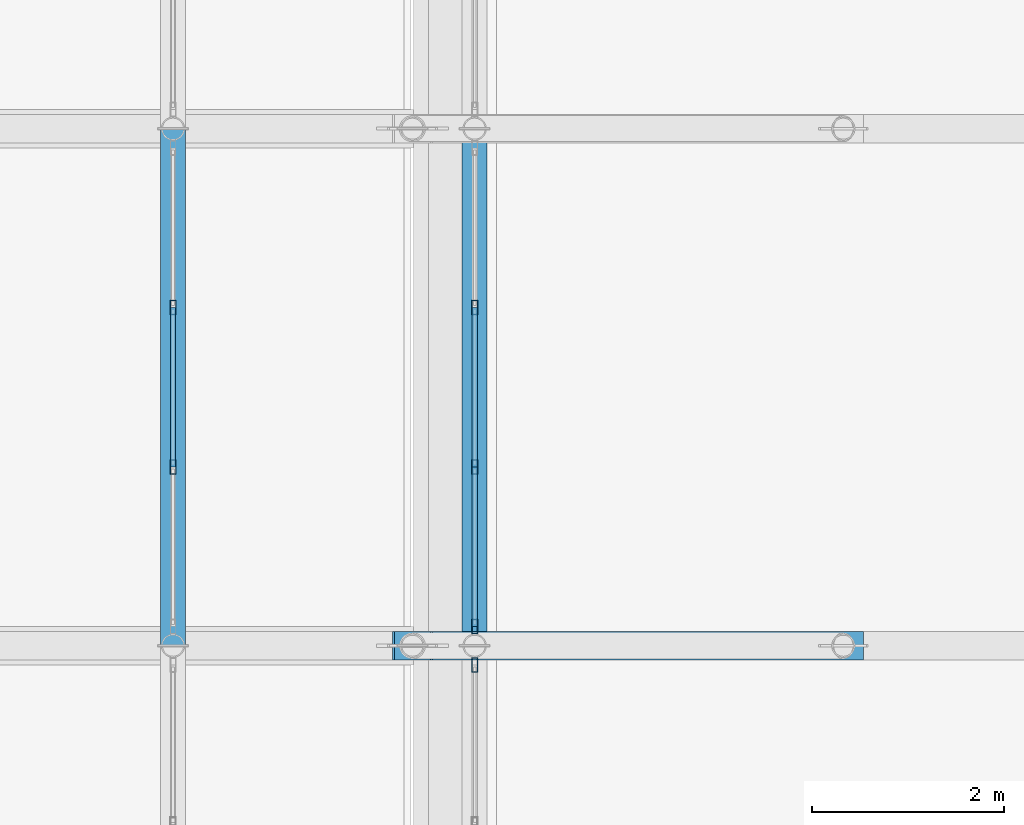
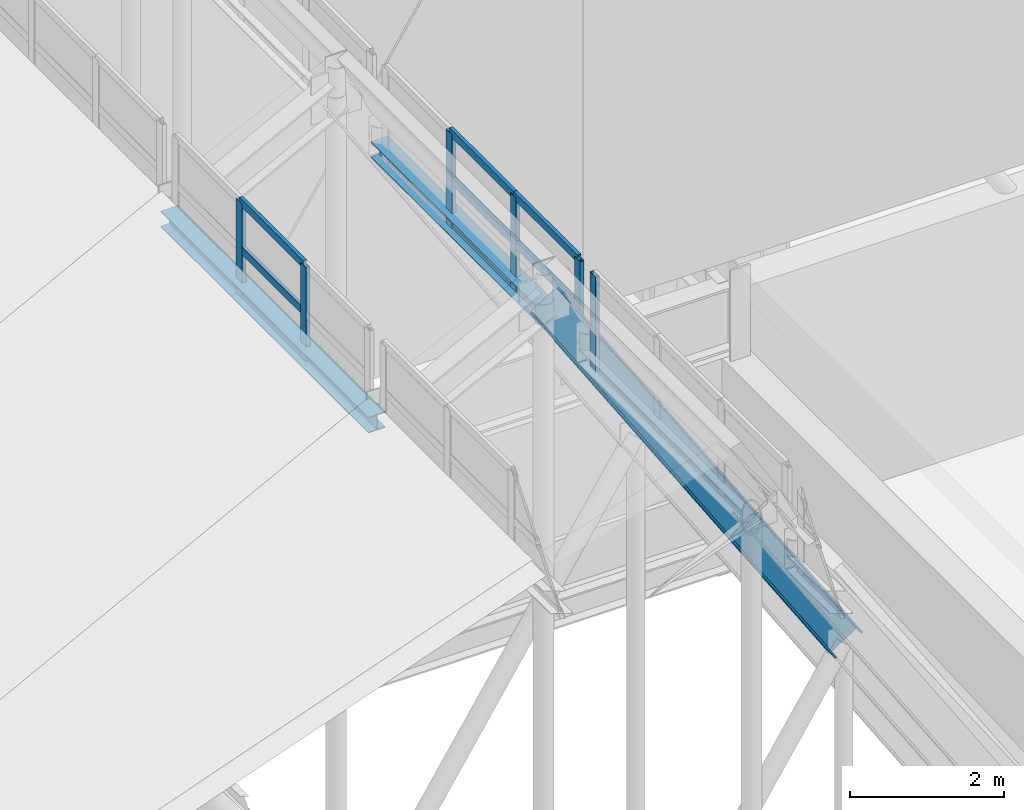
# One storey, part 20 of 84: 16 members, 2 beams, 3 elements without a shape of their own.
"""IFC4 building model written with IfcOpenShell, lengths in metres."""

from ifc_helpers import new_model, si_unit, direction, frame, origin, origin_2d, place, context, subcontext, project, spatial, hollow_rectangle, i_section, extrude, material, layer, layer_set, material_profile, profile_set, type_object, element, aggregate, save


model = new_model("IFC4")

# Units and contexts
model_context = context("Model", 3, precision=1e-05, world=origin(), true_north=direction((0.0, 1.0)))
body_context = subcontext(model_context, "Body", "Model", "MODEL_VIEW")
ifc_project = project(units=[si_unit("LENGTHUNIT", "METRE"), si_unit("AREAUNIT", "SQUARE_METRE"), si_unit("VOLUMEUNIT", "CUBIC_METRE"), si_unit("PLANEANGLEUNIT", "RADIAN"), si_unit("MASSUNIT", "GRAM", prefix="KILO")], contexts=[model_context])

# Site, building, storey
site_placement = place(None, origin())
site = spatial("IfcSite", under=ifc_project, at=site_placement, CompositionType="ELEMENT")
building_placement = place(site_placement, origin())
building = spatial("IfcBuilding", under=site, at=building_placement, Name="Sundgate Opera House", CompositionType="ELEMENT")
storey_placement = place(building_placement, frame((0.0, 0.0, 30.60009765625)))
storey = spatial("IfcBuildingStorey", under=building, at=storey_placement, Name="L06", CompositionType="ELEMENT", Elevation=30.60009765625)

# Beams
ifc_material_1 = material(Name="Steel S355J2", Category="steel")
ifc_material_profile_1 = material_profile(ifc_material_1, i_section(OverallWidth=0.260009765625, OverallDepth=0.25, WebThickness=0.007568359375, FlangeThickness=0.012451171875, at=origin_2d()), Name="HEA 260")
ifc_profile_set_1 = profile_set([ifc_material_profile_1], Name="Steel S355J2")
beam_type = type_object("IfcBeamType", Name="BM-LN-HEA260", PredefinedType="LINTEL", material=ifc_profile_set_1)
for number, where, z_axis, x_axis, name in (
    (1, (51.5, 49.199951171875, 12.119873046875), (0.0, 1.0, 0.0), (-1.0, 0.0, 0.0), "L06 Crown Clerestory Curb Beam BS028"),
    (2, (54.64990234375, 49.199951171875, 12.119873046875), (0.0, 1.0, 0.0), (-1.0, 0.0, 0.0), "L06 Crown Clerestory Curb Beam BS029"),
):
    element("IfcBeam", number, at=place(storey_placement, frame(where, z_axis=z_axis, x_axis=x_axis)), inside=storey, type_object=beam_type, Name=name, PredefinedType="LINTEL", context=body_context, shape_type="SweptSolid", body=[
        extrude(i_section(OverallWidth=0.260009765625, OverallDepth=0.25, WebThickness=0.007568359375, FlangeThickness=0.012451171875, at=origin_2d()), origin(), (0.0, 0.0, 1.0), 5.400146484375),
    ])

# Curtain wall, member
ifc_material_2 = material(Name="Anodized aluminium and low-iron glass", Category="aluminium")
ifc_layer = layer(ifc_material_2, 0.169921875)
ifc_layer_set = layer_set([ifc_layer], Name="Anodized aluminium and low-iron glass")
curtain_wall_type = type_object("IfcCurtainWallType", Name="CW-LANTERN-POLY", PredefinedType="NOTDEFINED", material=ifc_layer_set)
curtain_wall_1_placement = place(storey_placement, origin())
curtain_wall_1 = element("IfcCurtainWall", 3, at=curtain_wall_1_placement, inside=storey, type_object=curtain_wall_type, Name="L06 Curtain Wall CW174", PredefinedType="NOTDEFINED")
ifc_material_3 = material(Name="Anodized aluminium EN AW-6063", Category="aluminium")
ifc_material_profile_2 = material_profile(ifc_material_3, hollow_rectangle(XDim=0.06005859375, YDim=0.14990234375, WallThickness=0.00390625, at=origin_2d()), Name="CWM 150x60x4")
ifc_profile_set_2 = profile_set([ifc_material_profile_2], Name="Anodized aluminium EN AW-6063")
member_type_1 = type_object("IfcMemberType", Name="CWM-ALU-150x60", PredefinedType="MULLION", material=ifc_profile_set_2)
member_1_placement = place(storey_placement, frame((54.64990234375, 49.0, 12.0), z_axis=(0.0, 0.0, 1.0), x_axis=(1.0, 0.0, 0.0)))
member_1 = element("IfcMember", 4, at=member_1_placement, type_object=member_type_1, Name="CW174 Mullion 4", PredefinedType="MULLION", context=body_context, shape_type="SweptSolid", body=[
    extrude(hollow_rectangle(XDim=0.06005859375, YDim=0.14990234375, WallThickness=0.00390625, at=origin_2d()), origin(), (0.0, 0.0, 1.0), 1.5),
])
aggregate(curtain_wall_1, [member_1])

# Curtain wall, members
curtain_wall_2_placement = place(storey_placement, origin())
curtain_wall_2 = element("IfcCurtainWall", 5, at=curtain_wall_2_placement, inside=storey, type_object=curtain_wall_type, Name="L06 Curtain Wall CW175", PredefinedType="NOTDEFINED")
member_2_placement = place(storey_placement, frame((51.5, 52.7333984375, 12.0), z_axis=(0.0, 0.0, 1.0), x_axis=(1.0, 0.0, 0.0)))
member_2 = element("IfcMember", 6, at=member_2_placement, type_object=member_type_1, Name="CW175 Mullion 2", PredefinedType="MULLION", context=body_context, shape_type="SweptSolid", body=[
    extrude(hollow_rectangle(XDim=0.06005859375, YDim=0.14990234375, WallThickness=0.00390625, at=origin_2d()), origin(), (0.0, 0.0, 1.0), 1.5),
])
member_3_placement = place(storey_placement, frame((51.5, 51.066650390625, 12.0), z_axis=(0.0, 0.0, 1.0), x_axis=(1.0, 0.0, 0.0)))
member_3 = element("IfcMember", 7, at=member_3_placement, type_object=member_type_1, Name="CW175 Mullion 3", PredefinedType="MULLION", context=body_context, shape_type="SweptSolid", body=[
    extrude(hollow_rectangle(XDim=0.06005859375, YDim=0.14990234375, WallThickness=0.00390625, at=origin_2d()), origin(), (0.0, 0.0, 1.0), 1.5),
])

curtain_wall_3_placement = place(storey_placement, origin())
curtain_wall_3 = element("IfcCurtainWall", 8, at=curtain_wall_3_placement, inside=storey, type_object=curtain_wall_type, Name="L06 Curtain Wall CW176", PredefinedType="NOTDEFINED")
member_4_placement = place(storey_placement, frame((54.64990234375, 49.39990234375, 12.0), z_axis=(0.0, 0.0, 1.0), x_axis=(1.0, 0.0, 0.0)))
member_4 = element("IfcMember", 9, at=member_4_placement, type_object=member_type_1, Name="CW176 Mullion 1", PredefinedType="MULLION", context=body_context, shape_type="SweptSolid", body=[
    extrude(hollow_rectangle(XDim=0.06005859375, YDim=0.14990234375, WallThickness=0.00390625, at=origin_2d()), origin(), (0.0, 0.0, 1.0), 1.5),
])
member_5_placement = place(storey_placement, frame((54.64990234375, 51.066650390625, 12.0), z_axis=(0.0, 0.0, 1.0), x_axis=(1.0, 0.0, 0.0)))
member_5 = element("IfcMember", 10, at=member_5_placement, type_object=member_type_1, Name="CW176 Mullion 2", PredefinedType="MULLION", context=body_context, shape_type="SweptSolid", body=[
    extrude(hollow_rectangle(XDim=0.06005859375, YDim=0.14990234375, WallThickness=0.00390625, at=origin_2d()), origin(), (0.0, 0.0, 1.0), 1.5),
])
member_6_placement = place(storey_placement, frame((54.64990234375, 52.7333984375, 12.0), z_axis=(0.0, 0.0, 1.0), x_axis=(1.0, 0.0, 0.0)))
member_6 = element("IfcMember", 11, at=member_6_placement, type_object=member_type_1, Name="CW176 Mullion 3", PredefinedType="MULLION", context=body_context, shape_type="SweptSolid", body=[
    extrude(hollow_rectangle(XDim=0.06005859375, YDim=0.14990234375, WallThickness=0.00390625, at=origin_2d()), origin(), (0.0, 0.0, 1.0), 1.5),
])

# Member
ifc_material_4 = material(Name="Anodized aluminium EN AW-6063", Category="aluminium")
ifc_material_profile_3 = material_profile(ifc_material_4, hollow_rectangle(XDim=0.054931640625, YDim=0.1201171875, WallThickness=0.00390625, at=origin_2d()), Name="CWT 120x55x4")
ifc_profile_set_3 = profile_set([ifc_material_profile_3], Name="Anodized aluminium EN AW-6063")
member_type_2 = type_object("IfcMemberType", Name="CWT-ALU-120x55", PredefinedType="USERDEFINED", material=ifc_profile_set_3)
member_7_placement = place(storey_placement, frame((51.5, 52.7333984375, 12.0), z_axis=(0.0, -1.0, 0.0), x_axis=(1.0, 0.0, 0.0)))
member_7 = element("IfcMember", 12, at=member_7_placement, type_object=member_type_2, Name="CW175 Transom 4", ObjectType="TRANSOM", PredefinedType="USERDEFINED", context=body_context, shape_type="SweptSolid", body=[
    extrude(hollow_rectangle(XDim=0.054931640625, YDim=0.1201171875, WallThickness=0.00390625, at=origin_2d()), origin(), (0.0, 0.0, 1.0), 1.666748046875),
])

member_8_placement = place(storey_placement, frame((51.5, 52.7333984375, 12.75), z_axis=(0.0, -1.0, 0.0), x_axis=(1.0, 0.0, 0.0)))
member_8 = element("IfcMember", 13, at=member_8_placement, type_object=member_type_2, Name="CW175 Transom 5", ObjectType="TRANSOM", PredefinedType="USERDEFINED", context=body_context, shape_type="SweptSolid", body=[
    extrude(hollow_rectangle(XDim=0.054931640625, YDim=0.1201171875, WallThickness=0.00390625, at=origin_2d()), origin(), (0.0, 0.0, 1.0), 1.666748046875),
])

member_9_placement = place(storey_placement, frame((51.5, 52.7333984375, 13.5), z_axis=(0.0, -1.0, 0.0), x_axis=(1.0, 0.0, 0.0)))
member_9 = element("IfcMember", 14, at=member_9_placement, type_object=member_type_2, Name="CW175 Transom 6", ObjectType="TRANSOM", PredefinedType="USERDEFINED", context=body_context, shape_type="SweptSolid", body=[
    extrude(hollow_rectangle(XDim=0.054931640625, YDim=0.1201171875, WallThickness=0.00390625, at=origin_2d()), origin(), (0.0, 0.0, 1.0), 1.666748046875),
])

aggregate(curtain_wall_2, [member_2, member_3, member_7, member_8, member_9])

member_10_placement = place(storey_placement, frame((54.64990234375, 49.39990234375, 12.0), z_axis=(0.0, 1.0, 0.0), x_axis=(-1.0, 0.0, 0.0)))
member_10 = element("IfcMember", 15, at=member_10_placement, type_object=member_type_2, Name="CW176 Transom 1", ObjectType="TRANSOM", PredefinedType="USERDEFINED", context=body_context, shape_type="SweptSolid", body=[
    extrude(hollow_rectangle(XDim=0.054931640625, YDim=0.1201171875, WallThickness=0.00390625, at=origin_2d()), origin(), (0.0, 0.0, 1.0), 1.666748046875),
])

member_11_placement = place(storey_placement, frame((54.64990234375, 49.39990234375, 12.75), z_axis=(0.0, 1.0, 0.0), x_axis=(-1.0, 0.0, 0.0)))
member_11 = element("IfcMember", 16, at=member_11_placement, type_object=member_type_2, Name="CW176 Transom 2", ObjectType="TRANSOM", PredefinedType="USERDEFINED", context=body_context, shape_type="SweptSolid", body=[
    extrude(hollow_rectangle(XDim=0.054931640625, YDim=0.1201171875, WallThickness=0.00390625, at=origin_2d()), origin(), (0.0, 0.0, 1.0), 1.666748046875),
])

member_12_placement = place(storey_placement, frame((54.64990234375, 49.39990234375, 13.5), z_axis=(0.0, 1.0, 0.0), x_axis=(-1.0, 0.0, 0.0)))
member_12 = element("IfcMember", 17, at=member_12_placement, type_object=member_type_2, Name="CW176 Transom 3", ObjectType="TRANSOM", PredefinedType="USERDEFINED", context=body_context, shape_type="SweptSolid", body=[
    extrude(hollow_rectangle(XDim=0.054931640625, YDim=0.1201171875, WallThickness=0.00390625, at=origin_2d()), origin(), (0.0, 0.0, 1.0), 1.666748046875),
])

member_13_placement = place(storey_placement, frame((54.64990234375, 51.066650390625, 12.0), z_axis=(0.0, 1.0, 0.0), x_axis=(-1.0, 0.0, 0.0)))
member_13 = element("IfcMember", 18, at=member_13_placement, type_object=member_type_2, Name="CW176 Transom 4", ObjectType="TRANSOM", PredefinedType="USERDEFINED", context=body_context, shape_type="SweptSolid", body=[
    extrude(hollow_rectangle(XDim=0.054931640625, YDim=0.1201171875, WallThickness=0.00390625, at=origin_2d()), origin(), (0.0, 0.0, 1.0), 1.666748046875),
])

member_14_placement = place(storey_placement, frame((54.64990234375, 51.066650390625, 12.75), z_axis=(0.0, 1.0, 0.0), x_axis=(-1.0, 0.0, 0.0)))
member_14 = element("IfcMember", 19, at=member_14_placement, type_object=member_type_2, Name="CW176 Transom 5", ObjectType="TRANSOM", PredefinedType="USERDEFINED", context=body_context, shape_type="SweptSolid", body=[
    extrude(hollow_rectangle(XDim=0.054931640625, YDim=0.1201171875, WallThickness=0.00390625, at=origin_2d()), origin(), (0.0, 0.0, 1.0), 1.666748046875),
])

member_15_placement = place(storey_placement, frame((54.64990234375, 51.066650390625, 13.5), z_axis=(0.0, 1.0, 0.0), x_axis=(-1.0, 0.0, 0.0)))
member_15 = element("IfcMember", 20, at=member_15_placement, type_object=member_type_2, Name="CW176 Transom 6", ObjectType="TRANSOM", PredefinedType="USERDEFINED", context=body_context, shape_type="SweptSolid", body=[
    extrude(hollow_rectangle(XDim=0.054931640625, YDim=0.1201171875, WallThickness=0.00390625, at=origin_2d()), origin(), (0.0, 0.0, 1.0), 1.666748046875),
])

aggregate(curtain_wall_3, [member_4, member_5, member_6, member_10, member_11, member_12, member_13, member_14, member_15])

ifc_material_5 = material(Name="Steel S355J2", Category="steel")
ifc_material_profile_4 = material_profile(ifc_material_5, i_section(OverallWidth=0.300048828125, OverallDepth=0.5, WebThickness=0.014404296875, FlangeThickness=0.028076171875, at=origin_2d()), Name="HEB 500")
ifc_profile_set_4 = profile_set([ifc_material_profile_4], Name="Steel S355J2")
member_type_3 = type_object("IfcMemberType", Name="MB-CHORD-HEB500", PredefinedType="CHORD", material=ifc_profile_set_4)
member_16_placement = place(storey_placement, frame((54.0, 49.199951171875, 13.199951171875), z_axis=(0.541853645841, 0.0, -0.840472858865), x_axis=(0.0, 1.0, 0.0)))
element("IfcMember", 21, at=member_16_placement, inside=storey, type_object=member_type_3, Name="L06 Auditorium Truss Top Chord M0097", PredefinedType="CHORD", context=body_context, shape_type="SweptSolid", body=[
    extrude(i_section(OverallWidth=0.300048828125, OverallDepth=0.5, WebThickness=0.014404296875, FlangeThickness=0.028076171875, at=origin_2d()), origin(), (0.0, 0.0, 1.0), 8.304931640625),
])

save(model, "model.ifc")
